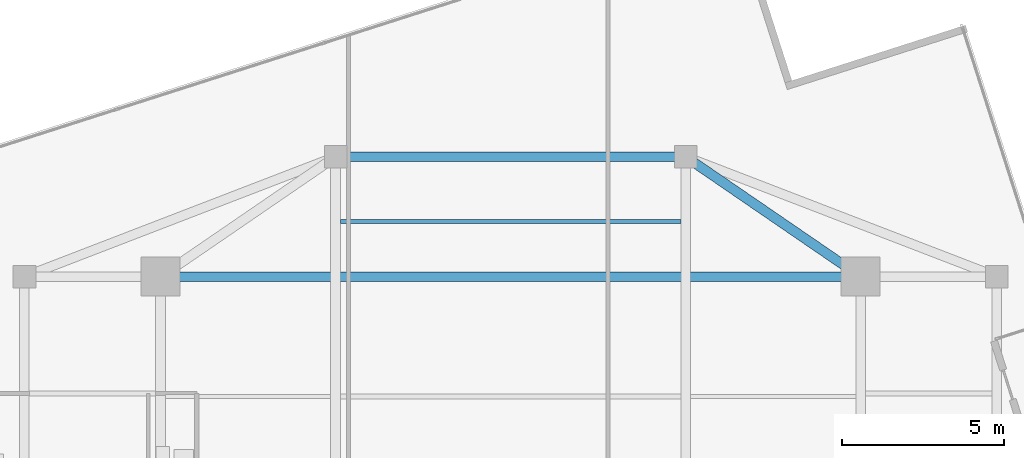
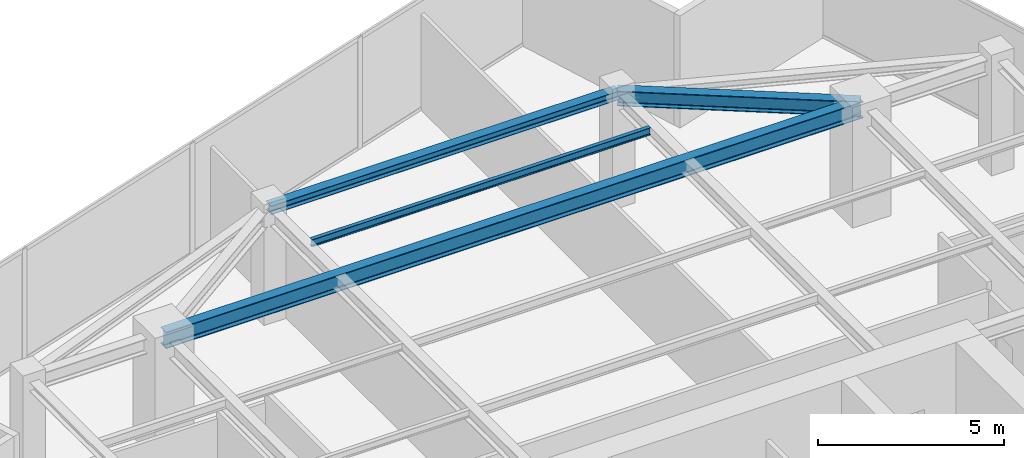
# One storey, part 14 of 21: 4 beams.
"""IFC4 building model written with IfcOpenShell, lengths in metres."""

from ifc_helpers import new_model, si_unit, direction, frame, origin, origin_2d, place, context, subcontext, project, spatial, i_section, extrude, source, transform, mapped, material, material_profile, profile_set, type_object, type_shapes, element, save


model = new_model("IFC4")

# Units and contexts
model_context = context("Model", 3, precision=1e-05, world=origin(), true_north=direction((0.0, 1.0)))
body_context = subcontext(model_context, "Body", "Model", "MODEL_VIEW")
ifc_project = project(units=[si_unit("LENGTHUNIT", "METRE"), si_unit("AREAUNIT", "SQUARE_METRE"), si_unit("VOLUMEUNIT", "CUBIC_METRE"), si_unit("PLANEANGLEUNIT", "RADIAN"), si_unit("MASSUNIT", "GRAM", prefix="KILO")], contexts=[model_context])

# Site, building, storey
site_placement = place(None, origin())
site = spatial("IfcSite", under=ifc_project, at=site_placement, CompositionType="ELEMENT")
building_placement = place(site_placement, origin())
building = spatial("IfcBuilding", under=site, at=building_placement, Name="Krantzveldt Concourse Tower", CompositionType="ELEMENT")
storey_placement = place(building_placement, frame((0.0, 0.0, 343.5)))
storey = spatial("IfcBuildingStorey", under=building, at=storey_placement, Name="L84", CompositionType="ELEMENT", Elevation=343.5)

# Beams
ifc_material = material(Name="Steel S355JR", Category="steel")
ifc_material_profile_1 = material_profile(ifc_material, i_section(OverallWidth=0.300048828125, OverallDepth=0.489990234375, WebThickness=0.011962890625, FlangeThickness=0.02294921875, FilletRadius=0.027099609375, at=origin_2d()), Name="Steel S355JR", Category="steel")
ifc_profile_set_1 = profile_set([ifc_material_profile_1], Name="Steel S355JR - HEA 500")
beam_type_1 = type_object("IfcBeamType", Name="BM-B-HEA500", PredefinedType="BEAM", material=ifc_profile_set_1)
shared_shape_1 = source(origin(), body_context, "Body", "SweptSolid", [
    extrude(i_section(OverallWidth=0.300048828125, OverallDepth=0.489990234375, WebThickness=0.011962890625, FlangeThickness=0.02294921875, FilletRadius=0.027099609375, at=origin_2d()), origin(), (0.0, 0.0, 1.0), 6.546142578125),
])
type_shapes(beam_type_1, [shared_shape_1])
beam_1_placement = place(storey_placement, frame((46.800048828125, 37.5, 3.425048828125), z_axis=(-0.824942999484, 0.565215930068, 0.0), x_axis=(-0.565215930068, -0.824942999484, 0.0)))
element("IfcBeam", 1, at=beam_1_placement, inside=storey, type_object=beam_type_1, Name="L84 Tower Girder BR-RR4", PredefinedType="BEAM", context=body_context, shape_type="MappedRepresentation", body=[
    mapped(shared_shape_1, transform((0.0, 0.0, 0.0), x_axis=(1.0, 0.0, 0.0), y_axis=(0.0, 1.0, 0.0), z_axis=(0.0, 0.0, 1.0), scale=1.0)),
])
ifc_material_profile_2 = material_profile(ifc_material, i_section(OverallWidth=0.300048828125, OverallDepth=0.5400390625, WebThickness=0.012451171875, FlangeThickness=0.02392578125, FilletRadius=0.027099609375, at=origin_2d()), Name="Steel S355JR", Category="steel")
ifc_profile_set_2 = profile_set([ifc_material_profile_2], Name="Steel S355JR - HEA 550")
beam_type_2 = type_object("IfcBeamType", Name="BM-B-HEA550", PredefinedType="BEAM", material=ifc_profile_set_2)
shared_shape_2 = source(origin(), body_context, "Body", "SweptSolid", [
    extrude(i_section(OverallWidth=0.300048828125, OverallDepth=0.5400390625, WebThickness=0.012451171875, FlangeThickness=0.02392578125, FilletRadius=0.027099609375, at=origin_2d()), origin(), (0.0, 0.0, 1.0), 21.60009765625),
])
type_shapes(beam_type_2, [shared_shape_2])
beam_2_placement = place(storey_placement, frame((25.199951171875, 37.5, 3.39990234375), z_axis=(1.0, 0.0, 0.0), x_axis=(0.0, 1.0, 0.0)))
element("IfcBeam", 2, at=beam_2_placement, inside=storey, type_object=beam_type_2, Name="L84 Tower Girder BG-MN", PredefinedType="BEAM", context=body_context, shape_type="MappedRepresentation", body=[
    mapped(shared_shape_2, transform((0.0, 0.0, 0.0), x_axis=(1.0, 0.0, 0.0), y_axis=(0.0, 1.0, 0.0), z_axis=(0.0, 0.0, 1.0), scale=1.0)),
])
ifc_material_profile_3 = material_profile(ifc_material, i_section(OverallWidth=0.2900390625, OverallDepth=0.2900390625, WebThickness=0.008544921875, FlangeThickness=0.013916015625, FilletRadius=0.027099609375, at=origin_2d()), Name="Steel S355JR", Category="steel")
ifc_profile_set_3 = profile_set([ifc_material_profile_3], Name="Steel S355JR - HEA 300")
beam_type_3 = type_object("IfcBeamType", Name="BM-SP-HEA300", PredefinedType="SPANDREL", material=ifc_profile_set_3)
shared_shape_3 = source(origin(), body_context, "Body", "SweptSolid", [
    extrude(i_section(OverallWidth=0.2900390625, OverallDepth=0.2900390625, WebThickness=0.008544921875, FlangeThickness=0.013916015625, FilletRadius=0.027099609375, at=origin_2d()), origin(), (0.0, 0.0, 1.0), 10.7998046875),
])
type_shapes(beam_type_3, [shared_shape_3])
beam_3_placement = place(storey_placement, frame((30.60009765625, 41.199951171875, 3.52490234375), z_axis=(1.0, 0.0, 0.0), x_axis=(0.0, 1.0, 0.0)))
element("IfcBeam", 3, at=beam_3_placement, inside=storey, type_object=beam_type_3, Name="L84 Tower Girder SP-R04", PredefinedType="SPANDREL", context=body_context, shape_type="MappedRepresentation", body=[
    mapped(shared_shape_3, transform((0.0, 0.0, 0.0), x_axis=(1.0, 0.0, 0.0), y_axis=(0.0, 1.0, 0.0), z_axis=(0.0, 0.0, 1.0), scale=1.0)),
])
ifc_material_profile_4 = material_profile(ifc_material, i_section(OverallWidth=0.1201171875, OverallDepth=0.239990234375, WebThickness=0.006103515625, FlangeThickness=0.009765625, FilletRadius=0.014892578125, at=origin_2d()), Name="Steel S355JR", Category="steel")
ifc_profile_set_4 = profile_set([ifc_material_profile_4], Name="Steel S355JR - IPE 240")
beam_type_4 = type_object("IfcBeamType", Name="BM-LN-IPE240", PredefinedType="LINTEL", material=ifc_profile_set_4)
shared_shape_4 = source(origin(), body_context, "Body", "SweptSolid", [
    extrude(i_section(OverallWidth=0.1201171875, OverallDepth=0.239990234375, WebThickness=0.006103515625, FlangeThickness=0.009765625, FilletRadius=0.014892578125, at=origin_2d()), origin(), (0.0, 0.0, 1.0), 10.5),
])
type_shapes(beam_type_4, [shared_shape_4])
beam_4_placement = place(storey_placement, frame((30.75, 39.199951171875, 3.550048828125), z_axis=(1.0, 0.0, 0.0), x_axis=(0.0, 1.0, 0.0)))
element("IfcBeam", 4, at=beam_4_placement, inside=storey, type_object=beam_type_4, Name="L84 Secondary Floor Joist JN-C3", PredefinedType="LINTEL", context=body_context, shape_type="MappedRepresentation", body=[
    mapped(shared_shape_4, transform((0.0, 0.0, 0.0), x_axis=(1.0, 0.0, 0.0), y_axis=(0.0, 1.0, 0.0), z_axis=(0.0, 0.0, 1.0), scale=1.0)),
])

save(model, "model.ifc")
